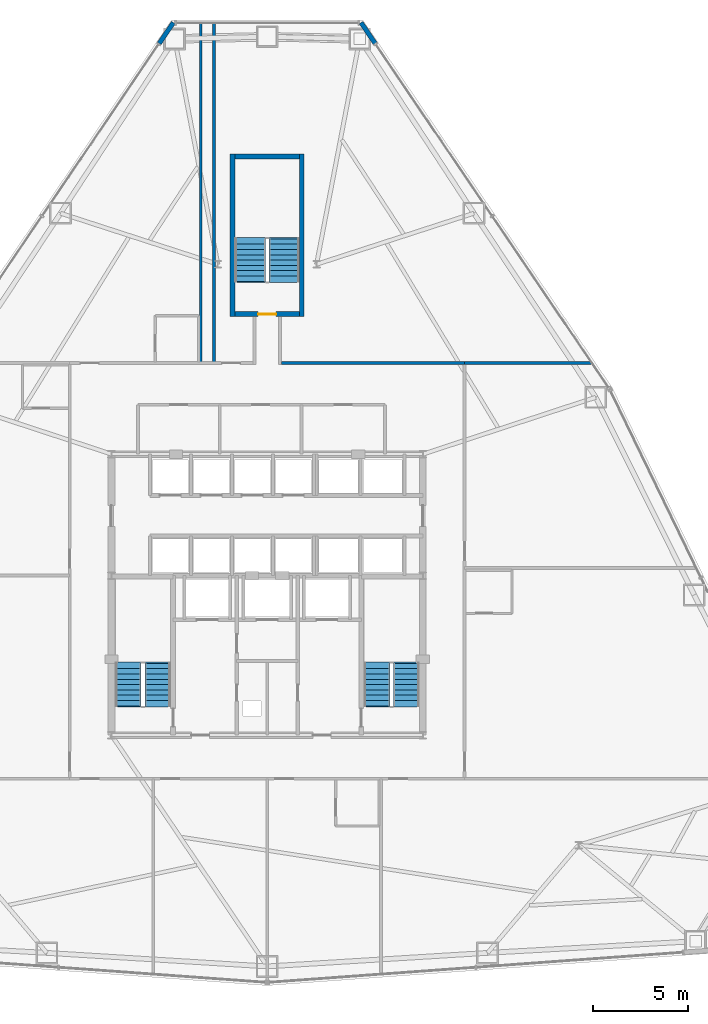
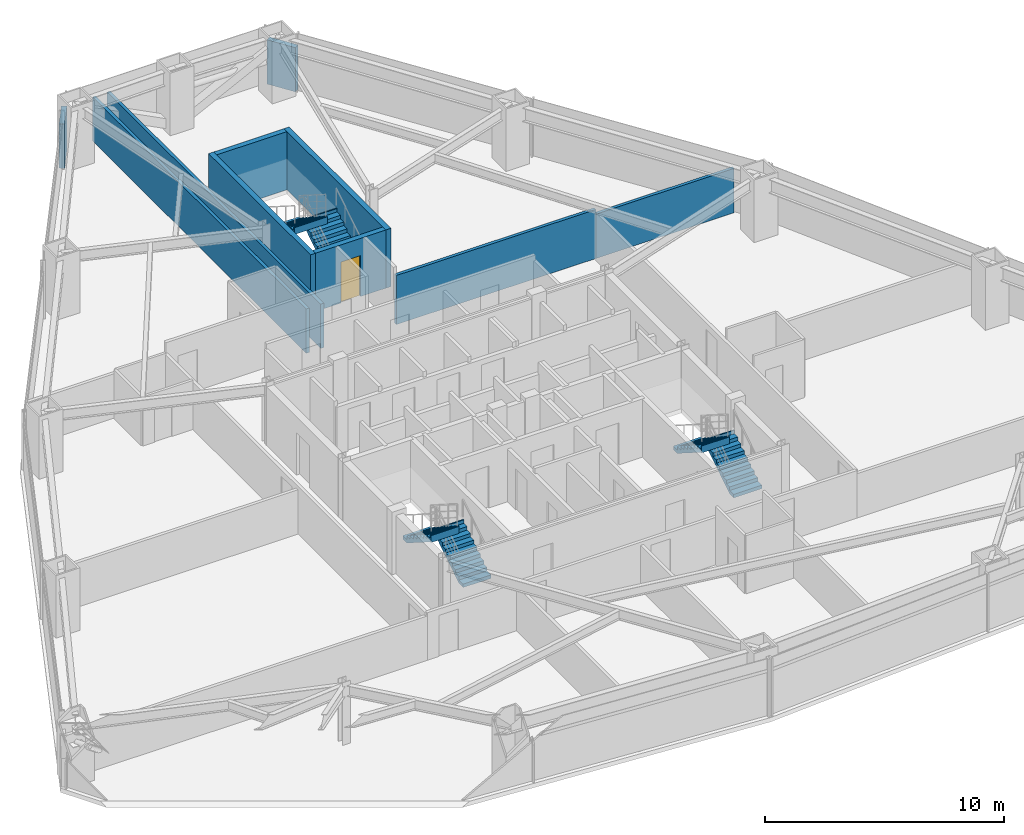
# One storey, part 11 of 12: 10 walls, 6 stair flights, 1 door, 1 opening, 3 elements without a shape of their own.
"""IFC4 building model written with IfcOpenShell, lengths in metres."""

from ifc_helpers import new_model, si_unit, direction, frame, frame_2d, origin, place, context, subcontext, project, spatial, polyline, rectangle, outline, extrude, material, layer, layer_set, type_object, element, fill, aggregate, save


model = new_model("IFC4")

# Units and contexts
model_context = context("Model", 3, precision=1e-05, world=origin(), true_north=direction((0.0, 1.0)))
body_context = subcontext(model_context, "Body", "Model", "MODEL_VIEW")
ifc_project = project(units=[si_unit("LENGTHUNIT", "METRE"), si_unit("AREAUNIT", "SQUARE_METRE"), si_unit("VOLUMEUNIT", "CUBIC_METRE"), si_unit("PLANEANGLEUNIT", "RADIAN"), si_unit("MASSUNIT", "GRAM", prefix="KILO")], contexts=[model_context])

# Site, building, storey
site_placement = place(None, origin())
site = spatial("IfcSite", under=ifc_project, at=site_placement, CompositionType="ELEMENT")
building_placement = place(site_placement, origin())
building = spatial("IfcBuilding", under=site, at=building_placement, Name="Varakhsha Concourse Tower", CompositionType="ELEMENT")
storey_placement = place(building_placement, frame((0.0, 0.0, 56.0)))
storey = spatial("IfcBuildingStorey", under=building, at=storey_placement, Name="L15", CompositionType="ELEMENT", Elevation=56.0)

# Walls
ifc_material_1 = material(Name="Concrete fc 45 MPa", Category="concrete")
ifc_layer_1 = layer(ifc_material_1, 0.239990234375, Name="WL-EXT-CRN-240")
ifc_layer_set_1 = layer_set([ifc_layer_1], Name="Concrete fc 45 MPa")
wall_type_1 = type_object("IfcWallType", Name="WL-EXT-CRN-240", PredefinedType="SHEAR", material=ifc_layer_set_1)
for number, where, z_axis, x_axis, name in (
    (1, (35.05810546875, 53.92919921875, 0.0), (0.0, 0.0, 1.0), (-0.56139338682, -0.827549071194, 0.0), "L15 Wind-Corner Shoulder Wall F2"),
    (2, (45.6865234375, 52.83154296875, 0.0), (0.0, 0.0, 1.0), (-0.56139338682, 0.827549071194, 0.0), "L15 Wind-Corner Shoulder Wall F9"),
):
    element("IfcWall", number, at=place(storey_placement, frame(where, z_axis=z_axis, x_axis=x_axis)), inside=storey, type_object=wall_type_1, Name=name, PredefinedType="SHEAR", context=body_context, shape_type="SweptSolid", body=[
        extrude(rectangle(XDim=1.326416015625, YDim=0.239990234375, at=frame_2d((0.6630859375, 0.0))), origin(), (0.0, 0.0, 1.0), 2.262939453125),
    ])
ifc_material_2 = material(Name="Fire-Rated Type X Gypsum Partition Assembly", Category="gypsum")
ifc_layer_2 = layer(ifc_material_2, 0.14990234375, Name="WL-PART-150")
ifc_layer_set_2 = layer_set([ifc_layer_2], Name="Fire-Rated Type X Gypsum Partition Assembly")
wall_type_2 = type_object("IfcWallType", Name="WL-PART-150", PredefinedType="PARTITIONING", material=ifc_layer_set_2)
wall_1_placement = place(storey_placement, frame((40.75, 36.0, 0.0), z_axis=(0.0, 0.0, 1.0), x_axis=(1.0, 0.0, 0.0)))
element("IfcWall", 3, at=wall_1_placement, inside=storey, type_object=wall_type_2, Name="L15 Wall CRW-N-L15-B", PredefinedType="PARTITIONING", context=body_context, shape_type="SweptSolid", body=[
    extrude(rectangle(XDim=9.64990234375, YDim=0.14990234375, at=frame_2d((4.824951171875, 0.0))), origin(), (0.0, 0.0, 1.0), 2.512939453125),
])
wall_2_placement = place(storey_placement, frame((50.39990234375, 36.0, 0.0), z_axis=(0.0, 0.0, 1.0), x_axis=(1.0, 0.0, 0.0)))
element("IfcWall", 4, at=wall_2_placement, inside=storey, type_object=wall_type_2, Name="L15 Wall HDIV-EBN-L15", PredefinedType="PARTITIONING", context=body_context, shape_type="SweptSolid", body=[
    extrude(rectangle(XDim=6.69873046875, YDim=0.14990234375, at=frame_2d((3.349365234375, 0.0))), origin(), (0.0, 0.0, 1.0), 2.26806640625),
])
for number, where, z_axis, x_axis, name in (
    (5, (36.5, 36.0, 0.0), (0.0, 0.0, 1.0), (0.0, 1.0, 0.0), "L15 Wall HDIV-N1-L15"),
    (6, (37.199951171875, 36.0, 0.0), (0.0, 0.0, 1.0), (0.0, 1.0, 0.0), "L15 Wall HDIV-N2-L15"),
):
    element("IfcWall", number, at=place(storey_placement, frame(where, z_axis=z_axis, x_axis=x_axis)), inside=storey, type_object=wall_type_2, Name=name, PredefinedType="PARTITIONING", context=body_context, shape_type="SweptSolid", body=[
        extrude(rectangle(XDim=17.900390625, YDim=0.14990234375, at=frame_2d((8.9501953125, 0.0))), origin(), (0.0, 0.0, 1.0), 2.26806640625),
    ])
ifc_layer_3 = layer(ifc_material_1, 0.25, Name="WL-STAIR-250")
ifc_layer_set_3 = layer_set([ifc_layer_3], Name="Concrete fc 45 MPa")
wall_type_3 = type_object("IfcWallType", Name="WL-STAIR-250", PredefinedType="SHEAR", material=ifc_layer_set_3)
for number, where, z_axis, x_axis, name in (
    (7, (38.175048828125, 38.449951171875, 0.0), (0.0, 0.0, 1.0), (0.0, 1.0, 0.0), "L15 Wall SWALL-ST5-W-L15"),
    (8, (41.824951171875, 38.449951171875, 0.0), (0.0, 0.0, 1.0), (0.0, 1.0, 0.0), "L15 Wall SWALL-ST5-E-L15"),
):
    element("IfcWall", number, at=place(storey_placement, frame(where, z_axis=z_axis, x_axis=x_axis)), inside=storey, type_object=wall_type_3, Name=name, PredefinedType="SHEAR", context=body_context, shape_type="SweptSolid", body=[
        extrude(rectangle(XDim=8.550048828125, YDim=0.25, at=frame_2d((4.27490234375, 0.0))), origin(), (0.0, 0.0, 1.0), 2.97998046875),
    ])

# Wall, opening, door
wall_3_placement = place(storey_placement, frame((38.300048828125, 38.574951171875, 0.0), z_axis=(0.0, 0.0, 1.0), x_axis=(1.0, 0.0, 0.0)))
wall_3 = element("IfcWall", 9, at=wall_3_placement, inside=storey, type_object=wall_type_3, Name="L15 Wall SWALL-ST5-S-L15", PredefinedType="SHEAR", context=body_context, shape_type="SweptSolid", body=[
    extrude(rectangle(XDim=3.39990234375, YDim=0.25, at=frame_2d((1.699951171875, 0.0))), origin(), (0.0, 0.0, 1.0), 2.97998046875),
])
opening_placement = place(wall_3_placement, frame((1.22509765625, 0.0, 0.0)))
opening = element("IfcOpeningElement", 10, at=opening_placement, cuts=wall_3, Name="Opening DF-03", PredefinedType="OPENING", context=body_context, shape_type="SweptSolid", body=[
    extrude(rectangle(XDim=0.949951171875, YDim=2.10009765625, at=frame_2d((0.47509765625, 1.050048828125))), frame((0.0, 0.135009765625, 0.0), z_axis=(0.0, -1.0, 0.0), x_axis=(1.0, 0.0, 0.0)), (0.0, 0.0, 1.0), 0.27001953125),
])
ifc_material_3 = material(Name="Hollow Galvanised Steel Fire Door Assembly", Category="steel")
door_type = type_object("IfcDoorType", Name="DR-FD90-950", OperationType="NOTDEFINED", PredefinedType="DOOR", material=ifc_material_3)
door_placement = place(opening_placement, origin())
door = element("IfcDoor", 11, at=door_placement, inside=storey, type_object=door_type, Name="L15 Stair ST5 Fire Door", OperationType="SINGLE_SWING_RIGHT", OverallHeight=2.10009765625, OverallWidth=0.949951171875, PredefinedType="DOOR", context=body_context, shape_type="SweptSolid", body=[
    extrude(rectangle(XDim=0.949951171875, YDim=2.10009765625, at=frame_2d((0.47509765625, 1.050048828125))), frame((0.0, 0.02490234375, 0.0), z_axis=(0.0, -1.0, 0.0), x_axis=(1.0, 0.0, 0.0)), (0.0, 0.0, 1.0), 0.050048828125),
])
fill(opening, door)

# Wall
wall_4_placement = place(storey_placement, frame((38.300048828125, 46.875, 0.0), z_axis=(0.0, 0.0, 1.0), x_axis=(1.0, 0.0, 0.0)))
element("IfcWall", 12, at=wall_4_placement, inside=storey, type_object=wall_type_3, Name="L15 Wall SWALL-ST5-N-L15", PredefinedType="SHEAR", context=body_context, shape_type="SweptSolid", body=[
    extrude(rectangle(XDim=3.39990234375, YDim=0.25, at=frame_2d((1.699951171875, 0.0))), origin(), (0.0, 0.0, 1.0), 2.97998046875),
])

# Stair, stair flights
stair_type_1 = type_object("IfcStairType", Name="ST-DOGLEG-1360", PredefinedType="HALF_TURN_STAIR", material=ifc_material_1)
stair_1_placement = place(storey_placement, origin())
stair_1 = element("IfcStair", 13, at=stair_1_placement, inside=storey, type_object=stair_type_1, Name="L15 Protected Exit Stair ST1", PredefinedType="HALF_TURN_STAIR")
stair_flight_type_1 = type_object("IfcStairFlightType", Name="STF-1360-R1778", PredefinedType="STRAIGHT", material=ifc_material_1)
stair_flight_1_placement = place(storey_placement, frame((34.239990234375, 17.93994140625, 0.0), z_axis=(0.0, 0.0, 1.0), x_axis=(0.0, 1.0, 0.0)))
stair_flight_1 = element("IfcStairFlight", 14, at=stair_flight_1_placement, type_object=stair_flight_type_1, Name="ST1 flight 1", NumberOfRisers=9, NumberOfTreads=8, PredefinedType="STRAIGHT", RiserHeight=0.177777778, TreadLength=0.28, context=body_context, shape_type="SweptSolid", body=[
    extrude(outline(polyline([(-0.06005859375, 0.0), (-0.06005859375, 0.177734375), (0.0, 0.177734375), (0.280029296875, 0.177734375), (0.280029296875, 0.35546875), (0.56005859375, 0.35546875), (0.56005859375, 0.533447265625), (0.840087890625, 0.533447265625), (0.840087890625, 0.711181640625), (1.1201171875, 0.711181640625), (1.1201171875, 0.888916015625), (1.39990234375, 0.888916015625), (1.39990234375, 1.066650390625), (1.679931640625, 1.066650390625), (1.679931640625, 1.244384765625), (1.9599609375, 1.244384765625), (1.9599609375, 1.422119140625), (2.239990234375, 1.422119140625), (2.239990234375, 1.60009765625), (2.300048828125, 1.60009765625), (2.300048828125, 1.24462890625), (2.239990234375, 1.24462890625), (0.27978515625, 0.0), (-0.06005859375, 0.0)])), frame((0.0, 0.68017578125, 0.0), z_axis=(0.0, -1.0, 0.0), x_axis=(1.0, 0.0, 0.0)), (0.0, 0.0, 1.0), 1.360107421875),
])
stair_flight_2_placement = place(storey_placement, frame((32.679931640625, 20.179931640625, 1.60009765625), z_axis=(0.0, 0.0, 1.0), x_axis=(0.0, -1.0, 0.0)))
stair_flight_2 = element("IfcStairFlight", 15, at=stair_flight_2_placement, type_object=stair_flight_type_1, Name="ST1 flight 2", NumberOfRisers=9, NumberOfTreads=8, PredefinedType="STRAIGHT", RiserHeight=0.177777778, TreadLength=0.28, context=body_context, shape_type="SweptSolid", body=[
    extrude(outline(polyline([(-0.06005859375, 0.0), (-0.06005859375, 0.177734375), (0.0, 0.177734375), (0.280029296875, 0.177734375), (0.280029296875, 0.35546875), (0.56005859375, 0.35546875), (0.56005859375, 0.533447265625), (0.840087890625, 0.533447265625), (0.840087890625, 0.711181640625), (1.1201171875, 0.711181640625), (1.1201171875, 0.888916015625), (1.39990234375, 0.888916015625), (1.39990234375, 1.066650390625), (1.679931640625, 1.066650390625), (1.679931640625, 1.244384765625), (1.9599609375, 1.244384765625), (1.9599609375, 1.422119140625), (2.239990234375, 1.422119140625), (2.239990234375, 1.60009765625), (2.300048828125, 1.60009765625), (2.300048828125, 1.24462890625), (2.239990234375, 1.24462890625), (0.27978515625, 0.0), (-0.06005859375, 0.0)])), frame((0.0, 0.68017578125, 0.0), z_axis=(0.0, -1.0, 0.0), x_axis=(1.0, 0.0, 0.0)), (0.0, 0.0, 1.0), 1.360107421875),
])
aggregate(stair_1, [stair_flight_1, stair_flight_2])

stair_2_placement = place(storey_placement, origin())
stair_2 = element("IfcStair", 16, at=stair_2_placement, inside=storey, type_object=stair_type_1, Name="L15 Protected Exit Stair ST2", PredefinedType="HALF_TURN_STAIR")
stair_flight_3_placement = place(storey_placement, frame((47.340087890625, 17.93994140625, 0.0), z_axis=(0.0, 0.0, 1.0), x_axis=(0.0, 1.0, 0.0)))
stair_flight_3 = element("IfcStairFlight", 17, at=stair_flight_3_placement, type_object=stair_flight_type_1, Name="ST2 flight 1", NumberOfRisers=9, NumberOfTreads=8, PredefinedType="STRAIGHT", RiserHeight=0.177777778, TreadLength=0.28, context=body_context, shape_type="SweptSolid", body=[
    extrude(outline(polyline([(-0.06005859375, 0.0), (-0.06005859375, 0.177734375), (0.0, 0.177734375), (0.280029296875, 0.177734375), (0.280029296875, 0.35546875), (0.56005859375, 0.35546875), (0.56005859375, 0.533447265625), (0.840087890625, 0.533447265625), (0.840087890625, 0.711181640625), (1.1201171875, 0.711181640625), (1.1201171875, 0.888916015625), (1.39990234375, 0.888916015625), (1.39990234375, 1.066650390625), (1.679931640625, 1.066650390625), (1.679931640625, 1.244384765625), (1.9599609375, 1.244384765625), (1.9599609375, 1.422119140625), (2.239990234375, 1.422119140625), (2.239990234375, 1.60009765625), (2.300048828125, 1.60009765625), (2.300048828125, 1.24462890625), (2.239990234375, 1.24462890625), (0.27978515625, 0.0), (-0.06005859375, 0.0)])), frame((0.0, 0.68017578125, 0.0), z_axis=(0.0, -1.0, 0.0), x_axis=(1.0, 0.0, 0.0)), (0.0, 0.0, 1.0), 1.360107421875),
])
stair_flight_4_placement = place(storey_placement, frame((45.780029296875, 20.179931640625, 1.60009765625), z_axis=(0.0, 0.0, 1.0), x_axis=(0.0, -1.0, 0.0)))
stair_flight_4 = element("IfcStairFlight", 18, at=stair_flight_4_placement, type_object=stair_flight_type_1, Name="ST2 flight 2", NumberOfRisers=9, NumberOfTreads=8, PredefinedType="STRAIGHT", RiserHeight=0.177777778, TreadLength=0.28, context=body_context, shape_type="SweptSolid", body=[
    extrude(outline(polyline([(-0.06005859375, 0.0), (-0.06005859375, 0.177734375), (0.0, 0.177734375), (0.280029296875, 0.177734375), (0.280029296875, 0.35546875), (0.56005859375, 0.35546875), (0.56005859375, 0.533447265625), (0.840087890625, 0.533447265625), (0.840087890625, 0.711181640625), (1.1201171875, 0.711181640625), (1.1201171875, 0.888916015625), (1.39990234375, 0.888916015625), (1.39990234375, 1.066650390625), (1.679931640625, 1.066650390625), (1.679931640625, 1.244384765625), (1.9599609375, 1.244384765625), (1.9599609375, 1.422119140625), (2.239990234375, 1.422119140625), (2.239990234375, 1.60009765625), (2.300048828125, 1.60009765625), (2.300048828125, 1.24462890625), (2.239990234375, 1.24462890625), (0.27978515625, 0.0), (-0.06005859375, 0.0)])), frame((0.0, 0.68017578125, 0.0), z_axis=(0.0, -1.0, 0.0), x_axis=(1.0, 0.0, 0.0)), (0.0, 0.0, 1.0), 1.360107421875),
])
aggregate(stair_2, [stair_flight_3, stair_flight_4])

stair_type_2 = type_object("IfcStairType", Name="ST-DOGLEG-1600", PredefinedType="HALF_TURN_STAIR", material=ifc_material_1)
stair_3_placement = place(storey_placement, origin())
stair_3 = element("IfcStair", 19, at=stair_3_placement, inside=storey, type_object=stair_type_2, Name="L15 Protected Exit Stair ST5", PredefinedType="HALF_TURN_STAIR")
stair_flight_type_2 = type_object("IfcStairFlightType", Name="STF-1600-R1778", PredefinedType="STRAIGHT", material=ifc_material_1)
stair_flight_5_placement = place(storey_placement, frame((40.89990234375, 40.300048828125, 0.0), z_axis=(0.0, 0.0, 1.0), x_axis=(0.0, 1.0, 0.0)))
stair_flight_5 = element("IfcStairFlight", 20, at=stair_flight_5_placement, type_object=stair_flight_type_2, Name="ST5 flight 1", NumberOfRisers=9, NumberOfTreads=8, PredefinedType="STRAIGHT", RiserHeight=0.177777778, TreadLength=0.28, context=body_context, shape_type="SweptSolid", body=[
    extrude(outline(polyline([(-0.06005859375, 0.0), (-0.06005859375, 0.177734375), (0.0, 0.177734375), (0.280029296875, 0.177734375), (0.280029296875, 0.35546875), (0.56005859375, 0.35546875), (0.56005859375, 0.533447265625), (0.840087890625, 0.533447265625), (0.840087890625, 0.711181640625), (1.1201171875, 0.711181640625), (1.1201171875, 0.888916015625), (1.39990234375, 0.888916015625), (1.39990234375, 1.066650390625), (1.679931640625, 1.066650390625), (1.679931640625, 1.244384765625), (1.9599609375, 1.244384765625), (1.9599609375, 1.422119140625), (2.239990234375, 1.422119140625), (2.239990234375, 1.60009765625), (2.300048828125, 1.60009765625), (2.300048828125, 1.24462890625), (2.239990234375, 1.24462890625), (0.27978515625, 0.0), (-0.06005859375, 0.0)])), frame((0.0, 0.800048828125, 0.0), z_axis=(0.0, -1.0, 0.0), x_axis=(1.0, 0.0, 0.0)), (0.0, 0.0, 1.0), 1.60009765625),
])
stair_flight_6_placement = place(storey_placement, frame((39.10009765625, 42.5400390625, 1.60009765625), z_axis=(0.0, 0.0, 1.0), x_axis=(0.0, -1.0, 0.0)))
stair_flight_6 = element("IfcStairFlight", 21, at=stair_flight_6_placement, type_object=stair_flight_type_2, Name="ST5 flight 2", NumberOfRisers=9, NumberOfTreads=8, PredefinedType="STRAIGHT", RiserHeight=0.177777778, TreadLength=0.28, context=body_context, shape_type="SweptSolid", body=[
    extrude(outline(polyline([(-0.06005859375, 0.0), (-0.06005859375, 0.177734375), (0.0, 0.177734375), (0.280029296875, 0.177734375), (0.280029296875, 0.35546875), (0.56005859375, 0.35546875), (0.56005859375, 0.533447265625), (0.840087890625, 0.533447265625), (0.840087890625, 0.711181640625), (1.1201171875, 0.711181640625), (1.1201171875, 0.888916015625), (1.39990234375, 0.888916015625), (1.39990234375, 1.066650390625), (1.679931640625, 1.066650390625), (1.679931640625, 1.244384765625), (1.9599609375, 1.244384765625), (1.9599609375, 1.422119140625), (2.239990234375, 1.422119140625), (2.239990234375, 1.60009765625), (2.300048828125, 1.60009765625), (2.300048828125, 1.24462890625), (2.239990234375, 1.24462890625), (0.27978515625, 0.0), (-0.06005859375, 0.0)])), frame((0.0, 0.800048828125, 0.0), z_axis=(0.0, -1.0, 0.0), x_axis=(1.0, 0.0, 0.0)), (0.0, 0.0, 1.0), 1.60009765625),
])
aggregate(stair_3, [stair_flight_5, stair_flight_6])

save(model, "model.ifc")
